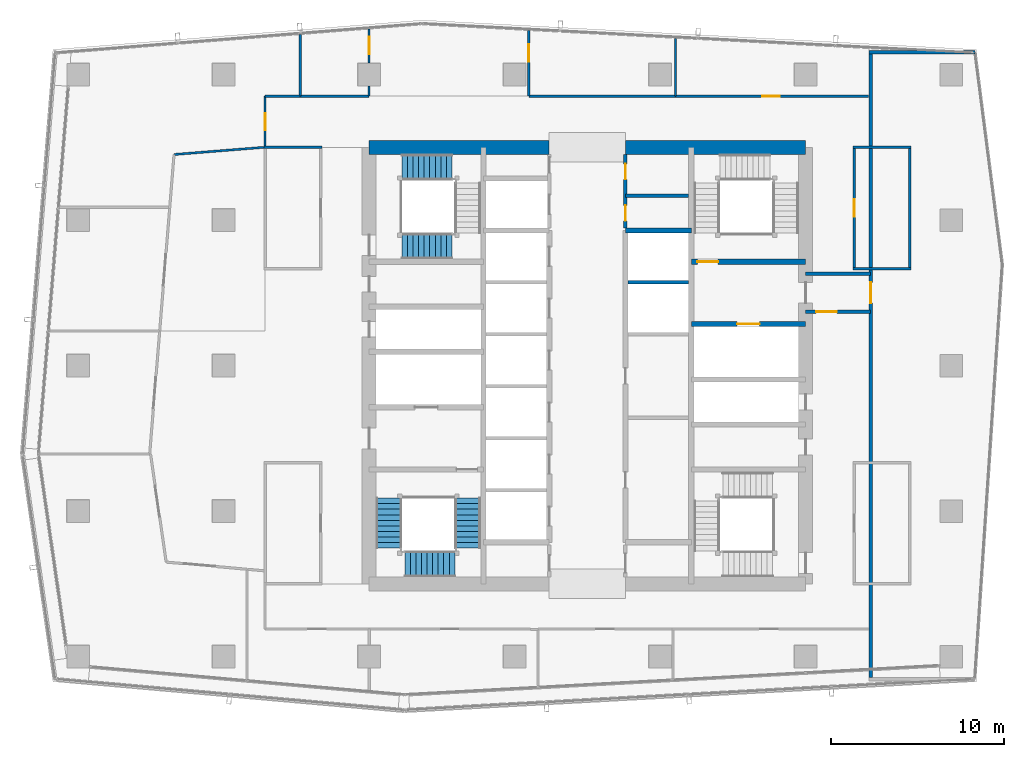
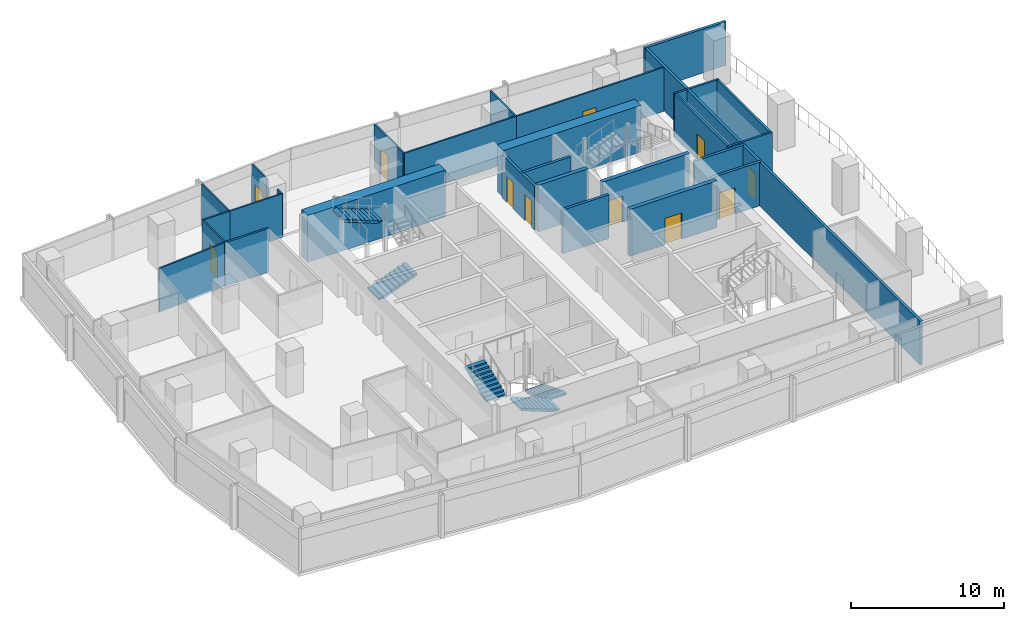
# One storey, part 21 of 26: 28 walls, 11 doors, 5 stair flights, 11 openings, 2 elements without a shape of their own.
"""IFC4 building model written with IfcOpenShell, lengths in metres."""

from ifc_helpers import new_model, si_unit, direction, frame, frame_2d, origin, place, context, subcontext, project, spatial, polyline, rectangle, outline, extrude, material, layer, layer_set, type_object, element, fill, aggregate, save


model = new_model("IFC4")

# Units and contexts
model_context = context("Model", 3, precision=1e-05, world=origin(), true_north=direction((0.0, 1.0)))
body_context = subcontext(model_context, "Body", "Model", "MODEL_VIEW")
ifc_project = project(units=[si_unit("LENGTHUNIT", "METRE"), si_unit("AREAUNIT", "SQUARE_METRE"), si_unit("VOLUMEUNIT", "CUBIC_METRE"), si_unit("PLANEANGLEUNIT", "RADIAN"), si_unit("MASSUNIT", "GRAM", prefix="KILO")], contexts=[model_context])

# Site, building, storey
site_placement = place(None, origin())
site = spatial("IfcSite", under=ifc_project, at=site_placement, CompositionType="ELEMENT")
building_placement = place(site_placement, origin())
building = spatial("IfcBuilding", under=site, at=building_placement, Name="Rekha Terrace Tower", CompositionType="ELEMENT")
storey_placement = place(building_placement, frame((0.0, 0.0, 283.85009765625)))
storey = spatial("IfcBuildingStorey", under=building, at=storey_placement, Name="L72", CompositionType="ELEMENT", Elevation=283.85009765625)

# Wall
ifc_material_1 = material(Name="Concrete M60", Category="concrete")
ifc_layer_1 = layer(ifc_material_1, 0.300048828125)
ifc_layer_set_1 = layer_set([ifc_layer_1], Name="Concrete M60")
wall_type_1 = type_object("IfcWallType", Name="CI5 300 core internal shear wall", PredefinedType="SHEAR", material=ifc_layer_set_1)
wall_1_placement = place(storey_placement, frame((40.0, 41.39990234375, 0.0), z_axis=(0.0, 0.0, 1.0), x_axis=(1.0, 0.0, 0.0)))
element("IfcWall", 1, at=wall_1_placement, inside=storey, type_object=wall_type_1, Name="Core wall Y414E L72", PredefinedType="SHEAR", context=body_context, shape_type="SweptSolid", body=[
    extrude(rectangle(XDim=3.800048828125, YDim=0.300048828125, at=frame_2d((1.89990234375, 0.0))), origin(), (0.0, 0.0, 1.0), 3.75),
])

# Wall, opening, door
wall_2_placement = place(storey_placement, frame((43.800048828125, 36.0, 0.0), z_axis=(0.0, 0.0, 1.0), x_axis=(1.0, 0.0, 0.0)))
wall_2 = element("IfcWall", 2, at=wall_2_placement, inside=storey, type_object=wall_type_1, Name="Core wall Y360E L72", PredefinedType="SHEAR", context=body_context, shape_type="SweptSolid", body=[
    extrude(rectangle(XDim=6.599853515625, YDim=0.300048828125, at=frame_2d((3.2998046875, 0.0))), origin(), (0.0, 0.0, 1.0), 3.75),
])
opening_1_placement = place(wall_2_placement, frame((2.64990234375, 0.0, 0.0)))
opening_1 = element("IfcOpeningElement", 3, at=opening_1_placement, cuts=wall_2, Name="Opening LD2", PredefinedType="OPENING", context=body_context, shape_type="SweptSolid", body=[
    extrude(rectangle(XDim=1.300048828125, YDim=2.10009765625, at=frame_2d((0.64990234375, 1.050048828125))), frame((0.0, 0.159912109375, 0.0), z_axis=(0.0, -1.0, 0.0), x_axis=(1.0, 0.0, 0.0)), (0.0, 0.0, 1.0), 0.320068359375),
])
ifc_material_2 = material(Name="Stainless steel sliding landing door", Category="steel")
door_type_1 = type_object("IfcDoorType", Name="LD2 1300x2100 fire lift landing door", OperationType="SLIDING_TO_LEFT", PredefinedType="USERDEFINED", material=ifc_material_2)
door_1_placement = place(opening_1_placement, origin())
door_1 = element("IfcDoor", 4, at=door_1_placement, inside=storey, type_object=door_type_1, Name="Lift FL2 landing door L72", ObjectType="LIFT LANDING DOOR", OperationType="SLIDING_TO_LEFT", OverallHeight=2.10009765625, OverallWidth=1.300048828125, PredefinedType="USERDEFINED", context=body_context, shape_type="SweptSolid", body=[
    extrude(rectangle(XDim=1.300048828125, YDim=2.10009765625, at=frame_2d((0.64990234375, 1.050048828125))), frame((0.0, 0.02490234375, 0.0), z_axis=(0.0, -1.0, 0.0), x_axis=(1.0, 0.0, 0.0)), (0.0, 0.0, 1.0), 0.050048828125),
])
fill(opening_1, door_1)

wall_3_placement = place(storey_placement, frame((43.800048828125, 39.60009765625, 0.0), z_axis=(0.0, 0.0, 1.0), x_axis=(1.0, 0.0, 0.0)))
wall_3 = element("IfcWall", 5, at=wall_3_placement, inside=storey, type_object=wall_type_1, Name="Core wall Y396E L72", PredefinedType="SHEAR", context=body_context, shape_type="SweptSolid", body=[
    extrude(rectangle(XDim=6.599853515625, YDim=0.300048828125, at=frame_2d((3.2998046875, 0.0))), origin(), (0.0, 0.0, 1.0), 3.75),
])
opening_2_placement = place(wall_3_placement, frame((0.35009765625, 0.0, 0.0)))
opening_2 = element("IfcOpeningElement", 6, at=opening_2_placement, cuts=wall_3, Name="Opening D1", PredefinedType="OPENING", context=body_context, shape_type="SweptSolid", body=[
    extrude(rectangle(XDim=1.199951171875, YDim=2.10009765625, at=frame_2d((0.60009765625, 1.050048828125))), frame((0.0, 0.159912109375, 0.0), z_axis=(0.0, -1.0, 0.0), x_axis=(1.0, 0.0, 0.0)), (0.0, 0.0, 1.0), 0.320068359375),
])
ifc_material_3 = material(Name="Steel fire door", Category="steel")
door_type_2 = type_object("IfcDoorType", Name="D1 1200x2100 stair fire door", OperationType="SINGLE_SWING_RIGHT", PredefinedType="DOOR", material=ifc_material_3)
door_2_placement = place(opening_2_placement, origin())
door_2 = element("IfcDoor", 7, at=door_2_placement, inside=storey, type_object=door_type_2, Name="Stair ST2 door L72", OperationType="SINGLE_SWING_RIGHT", OverallHeight=2.10009765625, OverallWidth=1.199951171875, PredefinedType="DOOR", context=body_context, shape_type="SweptSolid", body=[
    extrude(rectangle(XDim=1.199951171875, YDim=2.10009765625, at=frame_2d((0.60009765625, 1.050048828125))), frame((0.0, 0.02490234375, 0.0), z_axis=(0.0, -1.0, 0.0), x_axis=(1.0, 0.0, 0.0)), (0.0, 0.0, 1.0), 0.050048828125),
])
fill(opening_2, door_2)

# Walls
ifc_layer_2 = layer(ifc_material_1, 0.800048828125)
ifc_layer_set_2 = layer_set([ifc_layer_2], Name="Concrete M60")
wall_type_2 = type_object("IfcWallType", Name="SW5 800 core outer shear wall", PredefinedType="SHEAR", material=ifc_layer_set_2)
wall_4_placement = place(storey_placement, frame((25.199951171875, 46.199951171875, 0.0), z_axis=(0.0, 0.0, 1.0), x_axis=(1.0, 0.0, 0.0)))
element("IfcWall", 8, at=wall_4_placement, inside=storey, type_object=wall_type_2, Name="Core wall N1 L72", PredefinedType="SHEAR", context=body_context, shape_type="SweptSolid", body=[
    extrude(rectangle(XDim=10.400146484375, YDim=0.800048828125, at=frame_2d((5.2001953125, 0.0))), origin(), (0.0, 0.0, 1.0), 3.75),
])
wall_5_placement = place(storey_placement, frame((40.0, 46.199951171875, 0.0), z_axis=(0.0, 0.0, 1.0), x_axis=(1.0, 0.0, 0.0)))
element("IfcWall", 9, at=wall_5_placement, inside=storey, type_object=wall_type_2, Name="Core wall N2 L72", PredefinedType="SHEAR", context=body_context, shape_type="SweptSolid", body=[
    extrude(rectangle(XDim=10.39990234375, YDim=0.800048828125, at=frame_2d((5.199951171875, 0.0))), origin(), (0.0, 0.0, 1.0), 3.75),
])
ifc_material_4 = material(Name="Concrete block masonry, 1 hour", Category="masonry")
ifc_layer_3 = layer(ifc_material_4, 0.14990234375)
ifc_layer_set_3 = layer_set([ifc_layer_3], Name="Concrete block masonry, 1 hour")
wall_type_3 = type_object("IfcWallType", Name="WP2 150 tenancy partition", PredefinedType="PARTITIONING", material=ifc_layer_set_3)
for number, where, z_axis, x_axis, name in (
    (10, (53.125, 39.199951171875, 0.0), (0.0, 0.0, 1.0), (1.0, 0.0, 0.0), "Women's WC wall L72"),
    (11, (53.125, 46.199951171875, 0.0), (0.0, 0.0, 1.0), (1.0, 0.0, 0.0), "Women's WC wall L72"),
):
    element("IfcWall", number, at=place(storey_placement, frame(where, z_axis=z_axis, x_axis=x_axis)), inside=storey, type_object=wall_type_3, Name=name, PredefinedType="PARTITIONING", context=body_context, shape_type="SweptSolid", body=[
        extrude(rectangle(XDim=3.35009765625, YDim=0.14990234375, at=frame_2d((1.675048828125, 0.0))), origin(), (0.0, 0.0, 1.0), 3.5),
    ])

# Wall, opening, door
wall_6_placement = place(storey_placement, frame((53.199951171875, 39.27490234375, 0.0), z_axis=(0.0, 0.0, 1.0), x_axis=(0.0, 1.0, 0.0)))
wall_6 = element("IfcWall", 12, at=wall_6_placement, inside=storey, type_object=wall_type_3, Name="Women's WC wall L72", PredefinedType="PARTITIONING", context=body_context, shape_type="SweptSolid", body=[
    extrude(rectangle(XDim=6.85009765625, YDim=0.14990234375, at=frame_2d((3.425048828125, 0.0))), origin(), (0.0, 0.0, 1.0), 3.5),
])
opening_3_placement = place(wall_6_placement, frame((2.925048828125, 0.0, 0.0)))
opening_3 = element("IfcOpeningElement", 13, at=opening_3_placement, cuts=wall_6, Name="Opening D3", PredefinedType="OPENING", context=body_context, shape_type="SweptSolid", body=[
    extrude(rectangle(XDim=1.0, YDim=2.10009765625, at=frame_2d((0.5, 1.050048828125))), frame((0.0, 0.0849609375, 0.0), z_axis=(0.0, -1.0, 0.0), x_axis=(1.0, 0.0, 0.0)), (0.0, 0.0, 1.0), 0.169921875),
])
ifc_material_5 = material(Name="Laminated timber fire door", Category="wood")
door_type_3 = type_object("IfcDoorType", Name="D3 1000x2100 WC door", OperationType="SINGLE_SWING_LEFT", PredefinedType="DOOR", material=ifc_material_5)
door_3_placement = place(opening_3_placement, origin())
door_3 = element("IfcDoor", 14, at=door_3_placement, inside=storey, type_object=door_type_3, Name="Door women's wc L72", OperationType="SINGLE_SWING_LEFT", OverallHeight=2.10009765625, OverallWidth=1.0, PredefinedType="DOOR", context=body_context, shape_type="SweptSolid", body=[
    extrude(rectangle(XDim=1.0, YDim=2.10009765625, at=frame_2d((0.5, 1.050048828125))), frame((0.0, 0.02490234375, 0.0), z_axis=(0.0, -1.0, 0.0), x_axis=(1.0, 0.0, 0.0)), (0.0, 0.0, 1.0), 0.050048828125),
])
fill(opening_3, door_3)

# Walls
wall_7_placement = place(storey_placement, frame((56.39990234375, 39.27490234375, 0.0), z_axis=(0.0, 0.0, 1.0), x_axis=(0.0, 1.0, 0.0)))
element("IfcWall", 15, at=wall_7_placement, inside=storey, type_object=wall_type_3, Name="Women's WC wall L72", PredefinedType="PARTITIONING", context=body_context, shape_type="SweptSolid", body=[
    extrude(rectangle(XDim=6.85009765625, YDim=0.14990234375, at=frame_2d((3.425048828125, 0.0))), origin(), (0.0, 0.0, 1.0), 3.5),
])
wall_8_placement = place(storey_placement, frame((19.125, 46.199951171875, 0.0), z_axis=(0.0, 0.0, 1.0), x_axis=(1.0, 0.0, 0.0)))
element("IfcWall", 16, at=wall_8_placement, inside=storey, type_object=wall_type_3, Name="Women's WC wall L72", PredefinedType="PARTITIONING", context=body_context, shape_type="SweptSolid", body=[
    extrude(rectangle(XDim=3.35009765625, YDim=0.14990234375, at=frame_2d((1.675048828125, 0.0))), origin(), (0.0, 0.0, 1.0), 3.5),
])

# Wall, opening, door
ifc_material_6 = material(Name="Two layers of fire-rated gypsum board each side on steel studs, acoustic quilt, 1 hour", Category="steel")
ifc_layer_4 = layer(ifc_material_6, 0.125)
ifc_layer_set_4 = layer_set([ifc_layer_4], Name="Two layers of fire-rated gypsum board each side on steel studs, acoustic quilt, 1 hour")
wall_type_4 = type_object("IfcWallType", Name="WP3 125 office partition", PredefinedType="PARTITIONING", material=ifc_layer_set_4)
wall_9_placement = place(storey_placement, frame((54.0390625, 49.14990234375, 0.0), z_axis=(0.0, 0.0, 1.0), x_axis=(-1.0, 0.0, 0.0)))
wall_9 = element("IfcWall", 17, at=wall_9_placement, inside=storey, type_object=wall_type_4, Name="Partition L72-03", PredefinedType="PARTITIONING", context=body_context, shape_type="SweptSolid", body=[
    extrude(rectangle(XDim=11.149169921875, YDim=0.125, at=frame_2d((5.57470703125, 0.0))), origin(), (0.0, 0.0, 1.0), 3.5),
])
opening_4_placement = place(wall_9_placement, frame((5.14501953125, 0.0, 0.0)))
opening_4 = element("IfcOpeningElement", 18, at=opening_4_placement, cuts=wall_9, Name="Opening D9", PredefinedType="OPENING", context=body_context, shape_type="SweptSolid", body=[
    extrude(rectangle(XDim=1.0, YDim=2.10009765625, at=frame_2d((0.5, 1.050048828125))), frame((0.0, 0.072509765625, 0.0), z_axis=(0.0, -1.0, 0.0), x_axis=(1.0, 0.0, 0.0)), (0.0, 0.0, 1.0), 0.14501953125),
])
ifc_material_7 = material(Name="Timber fire door", Category="wood")
door_type_4 = type_object("IfcDoorType", Name="D9 1000x2100 office door", OperationType="SINGLE_SWING_LEFT", PredefinedType="DOOR", material=ifc_material_7)
door_4_placement = place(opening_4_placement, origin())
door_4 = element("IfcDoor", 19, at=door_4_placement, inside=storey, type_object=door_type_4, Name="Door board meeting room L72", OperationType="SINGLE_SWING_LEFT", OverallHeight=2.10009765625, OverallWidth=1.0, PredefinedType="DOOR", context=body_context, shape_type="SweptSolid", body=[
    extrude(rectangle(XDim=1.0, YDim=2.10009765625, at=frame_2d((0.5, 1.050048828125))), frame((0.0, 0.02490234375, 0.0), z_axis=(0.0, -1.0, 0.0), x_axis=(1.0, 0.0, 0.0)), (0.0, 0.0, 1.0), 0.050048828125),
])
fill(opening_4, door_4)

# Walls
wall_10_placement = place(storey_placement, frame((42.889892578125, 49.14990234375, 0.0), z_axis=(0.0, 0.0, 1.0), x_axis=(0.0, 1.0, 0.0)))
element("IfcWall", 20, at=wall_10_placement, inside=storey, type_object=wall_type_4, Name="Partition L72-03", PredefinedType="PARTITIONING", context=body_context, shape_type="SweptSolid", body=[
    extrude(rectangle(XDim=3.343017578125, YDim=0.125, at=frame_2d((1.67138671875, 0.0))), origin(), (0.0, 0.0, 1.0), 3.5),
])
wall_11_placement = place(storey_placement, frame((42.888916015625, 49.14990234375, 0.0), z_axis=(0.0, 0.0, 1.0), x_axis=(-1.0, 0.0, 0.0)))
element("IfcWall", 21, at=wall_11_placement, inside=storey, type_object=wall_type_4, Name="Partition L72-04", PredefinedType="PARTITIONING", context=body_context, shape_type="SweptSolid", body=[
    extrude(rectangle(XDim=8.470947265625, YDim=0.125, at=frame_2d((4.2353515625, 0.0))), origin(), (0.0, 0.0, 1.0), 3.5),
])

# Wall, opening, door
wall_12_placement = place(storey_placement, frame((34.41796875, 49.14990234375, 0.0), z_axis=(0.0, 0.0, 1.0), x_axis=(0.0, 1.0, 0.0)))
wall_12 = element("IfcWall", 22, at=wall_12_placement, inside=storey, type_object=wall_type_4, Name="Partition L72-04", PredefinedType="PARTITIONING", context=body_context, shape_type="SweptSolid", body=[
    extrude(rectangle(XDim=3.793212890625, YDim=0.125, at=frame_2d((1.896484375, 0.0))), origin(), (0.0, 0.0, 1.0), 3.5),
])
opening_5_placement = place(wall_12_placement, frame((1.9970703125, 0.0, 0.0)))
opening_5 = element("IfcOpeningElement", 23, at=opening_5_placement, cuts=wall_12, Name="Opening D9", PredefinedType="OPENING", context=body_context, shape_type="SweptSolid", body=[
    extrude(rectangle(XDim=1.0, YDim=2.10009765625, at=frame_2d((0.5, 1.050048828125))), frame((0.0, 0.072509765625, 0.0), z_axis=(0.0, -1.0, 0.0), x_axis=(1.0, 0.0, 0.0)), (0.0, 0.0, 1.0), 0.14501953125),
])
door_5_placement = place(opening_5_placement, origin())
door_5 = element("IfcDoor", 24, at=door_5_placement, inside=storey, type_object=door_type_4, Name="Door director's office L72", OperationType="SINGLE_SWING_LEFT", OverallHeight=2.10009765625, OverallWidth=1.0, PredefinedType="DOOR", context=body_context, shape_type="SweptSolid", body=[
    extrude(rectangle(XDim=1.0, YDim=2.10009765625, at=frame_2d((0.5, 1.050048828125))), frame((0.0, 0.02490234375, 0.0), z_axis=(0.0, -1.0, 0.0), x_axis=(1.0, 0.0, 0.0)), (0.0, 0.0, 1.0), 0.050048828125),
])
fill(opening_5, door_5)

wall_13_placement = place(storey_placement, frame((25.205078125, 53.02490234375, 0.0), z_axis=(0.0, 0.0, 1.0), x_axis=(0.0, -1.0, 0.0)))
wall_13 = element("IfcWall", 25, at=wall_13_placement, inside=storey, type_object=wall_type_4, Name="Partition L72-05", PredefinedType="PARTITIONING", context=body_context, shape_type="SweptSolid", body=[
    extrude(rectangle(XDim=1.954833984375, YDim=0.125, at=frame_2d((0.9775390625, 0.0))), origin(), (0.0, 0.0, 1.0), 3.5),
])
opening_6_placement = place(wall_13_placement, frame((0.443115234375, 0.0, 0.0)))
opening_6 = element("IfcOpeningElement", 26, at=opening_6_placement, cuts=wall_13, Name="Opening D9", PredefinedType="OPENING", context=body_context, shape_type="SweptSolid", body=[
    extrude(rectangle(XDim=1.0, YDim=2.10009765625, at=frame_2d((0.5, 1.050048828125))), frame((0.0, 0.072509765625, 0.0), z_axis=(0.0, -1.0, 0.0), x_axis=(1.0, 0.0, 0.0)), (0.0, 0.0, 1.0), 0.14501953125),
])
door_6_placement = place(opening_6_placement, origin())
door_6 = element("IfcDoor", 27, at=door_6_placement, inside=storey, type_object=door_type_4, Name="Door director's office L72", OperationType="SINGLE_SWING_LEFT", OverallHeight=2.10009765625, OverallWidth=1.0, PredefinedType="DOOR", context=body_context, shape_type="SweptSolid", body=[
    extrude(rectangle(XDim=1.0, YDim=2.10009765625, at=frame_2d((0.5, 1.050048828125))), frame((0.0, 0.02490234375, 0.0), z_axis=(0.0, -1.0, 0.0), x_axis=(1.0, 0.0, 0.0)), (0.0, 0.0, 1.0), 0.050048828125),
])
fill(opening_6, door_6)

# Walls
wall_14_placement = place(storey_placement, frame((25.205078125, 49.72998046875, 0.0), z_axis=(0.0, 0.0, 1.0), x_axis=(0.0, -1.0, 0.0)))
element("IfcWall", 28, at=wall_14_placement, inside=storey, type_object=wall_type_4, Name="Partition L72-05", PredefinedType="PARTITIONING", context=body_context, shape_type="SweptSolid", body=[
    extrude(rectangle(XDim=0.580078125, YDim=0.125, at=frame_2d((0.2900390625, 0.0))), origin(), (0.0, 0.0, 1.0), 3.5),
])
wall_15_placement = place(storey_placement, frame((25.205078125, 49.14990234375, 0.0), z_axis=(0.0, 0.0, 1.0), x_axis=(-1.0, 0.0, 0.0)))
element("IfcWall", 29, at=wall_15_placement, inside=storey, type_object=wall_type_4, Name="Partition L72-05", PredefinedType="PARTITIONING", context=body_context, shape_type="SweptSolid", body=[
    extrude(rectangle(XDim=3.97802734375, YDim=0.125, at=frame_2d((1.989013671875, 0.0))), origin(), (0.0, 0.0, 1.0), 3.5),
])
wall_16_placement = place(storey_placement, frame((21.22705078125, 49.14990234375, 0.0), z_axis=(0.0, 0.0, 1.0), x_axis=(0.0, 1.0, 0.0)))
element("IfcWall", 30, at=wall_16_placement, inside=storey, type_object=wall_type_4, Name="Partition L72-05", PredefinedType="PARTITIONING", context=body_context, shape_type="SweptSolid", body=[
    extrude(rectangle(XDim=3.55810546875, YDim=0.125, at=frame_2d((1.779052734375, 0.0))), origin(), (0.0, 0.0, 1.0), 3.5),
])
wall_17_placement = place(storey_placement, frame((19.125, 46.199951171875, 0.0), z_axis=(0.0, 0.0, 1.0), x_axis=(-0.996825420684, -0.079618343858, 0.0)))
element("IfcWall", 31, at=wall_17_placement, inside=storey, type_object=wall_type_4, Name="Partition L72-06", PredefinedType="PARTITIONING", context=body_context, shape_type="SweptSolid", body=[
    extrude(rectangle(XDim=5.20068359375, YDim=0.125, at=frame_2d((2.600341796875, 0.0))), origin(), (0.0, 0.0, 1.0), 3.5),
])
wall_18_placement = place(storey_placement, frame((21.22607421875, 49.14990234375, 0.0), z_axis=(0.0, 0.0, 1.0), x_axis=(-1.0, 0.0, 0.0)))
element("IfcWall", 32, at=wall_18_placement, inside=storey, type_object=wall_type_4, Name="Partition L72-06", PredefinedType="PARTITIONING", context=body_context, shape_type="SweptSolid", body=[
    extrude(rectangle(XDim=2.026123046875, YDim=0.125, at=frame_2d((1.01318359375, 0.0))), origin(), (0.0, 0.0, 1.0), 3.5),
])

# Wall, opening, door
wall_19_placement = place(storey_placement, frame((19.199951171875, 49.14990234375, 0.0), z_axis=(0.0, 0.0, 1.0), x_axis=(0.0, -1.0, 0.0)))
wall_19 = element("IfcWall", 33, at=wall_19_placement, inside=storey, type_object=wall_type_4, Name="Partition L72-06", PredefinedType="PARTITIONING", context=body_context, shape_type="SweptSolid", body=[
    extrude(rectangle(XDim=2.875, YDim=0.125, at=frame_2d((1.4375, 0.0))), origin(), (0.0, 0.0, 1.0), 3.5),
])
opening_7_placement = place(wall_19_placement, frame((0.971923828125, 0.0, 0.0)))
opening_7 = element("IfcOpeningElement", 34, at=opening_7_placement, cuts=wall_19, Name="Opening D9", PredefinedType="OPENING", context=body_context, shape_type="SweptSolid", body=[
    extrude(rectangle(XDim=1.0, YDim=2.10009765625, at=frame_2d((0.5, 1.050048828125))), frame((0.0, 0.072509765625, 0.0), z_axis=(0.0, -1.0, 0.0), x_axis=(1.0, 0.0, 0.0)), (0.0, 0.0, 1.0), 0.14501953125),
])
door_7_placement = place(opening_7_placement, origin())
door_7 = element("IfcDoor", 35, at=door_7_placement, inside=storey, type_object=door_type_4, Name="Door chairman's office L72", OperationType="SINGLE_SWING_LEFT", OverallHeight=2.10009765625, OverallWidth=1.0, PredefinedType="DOOR", context=body_context, shape_type="SweptSolid", body=[
    extrude(rectangle(XDim=1.0, YDim=2.10009765625, at=frame_2d((0.5, 1.050048828125))), frame((0.0, 0.02490234375, 0.0), z_axis=(0.0, -1.0, 0.0), x_axis=(1.0, 0.0, 0.0)), (0.0, 0.0, 1.0), 0.050048828125),
])
fill(opening_7, door_7)

# Wall
ifc_material_8 = material(Name="Solid concrete block masonry, 2 hour", Category="masonry")
ifc_layer_5 = layer(ifc_material_8, 0.199951171875)
ifc_layer_set_5 = layer_set([ifc_layer_5], Name="Solid concrete block masonry, 2 hour")
wall_type_5 = type_object("IfcWallType", Name="WS1 200 stair and shaft enclosure", PredefinedType="PARTITIONING", material=ifc_layer_set_5)
wall_20_placement = place(storey_placement, frame((40.14990234375, 38.39990234375, 0.0), z_axis=(0.0, 0.0, 1.0), x_axis=(1.0, 0.0, 0.0)))
element("IfcWall", 36, at=wall_20_placement, inside=storey, type_object=wall_type_5, Name="Lift shaft divider L72", PredefinedType="PARTITIONING", context=body_context, shape_type="SweptSolid", body=[
    extrude(rectangle(XDim=3.5, YDim=0.199951171875, at=frame_2d((1.75, 0.0))), origin(), (0.0, 0.0, 1.0), 3.5),
])

# Wall, openings, doors
wall_21_placement = place(storey_placement, frame((40.0, 41.550048828125, 0.0), z_axis=(0.0, 0.0, 1.0), x_axis=(0.0, 1.0, 0.0)))
wall_21 = element("IfcWall", 37, at=wall_21_placement, inside=storey, type_object=wall_type_5, Name="Core partition elec L72", PredefinedType="PARTITIONING", context=body_context, shape_type="SweptSolid", body=[
    extrude(rectangle(XDim=4.25, YDim=0.199951171875, at=frame_2d((2.125, 0.0))), origin(), (0.0, 0.0, 1.0), 3.5),
])
opening_8_placement = place(wall_21_placement, frame((2.800048828125, 0.0, 0.0)))
opening_8 = element("IfcOpeningElement", 38, at=opening_8_placement, cuts=wall_21, Name="Opening D5", PredefinedType="OPENING", context=body_context, shape_type="SweptSolid", body=[
    extrude(rectangle(XDim=0.89990234375, YDim=2.10009765625, at=frame_2d((0.449951171875, 1.050048828125))), frame((0.0, 0.10986328125, 0.0), z_axis=(0.0, -1.0, 0.0), x_axis=(1.0, 0.0, 0.0)), (0.0, 0.0, 1.0), 0.219970703125),
])
opening_9_placement = place(wall_21_placement, frame((0.39990234375, 0.0, 0.0)))
opening_9 = element("IfcOpeningElement", 39, at=opening_9_placement, cuts=wall_21, Name="Opening D5", PredefinedType="OPENING", context=body_context, shape_type="SweptSolid", body=[
    extrude(rectangle(XDim=0.89990234375, YDim=2.10009765625, at=frame_2d((0.449951171875, 1.050048828125))), frame((0.0, 0.10986328125, 0.0), z_axis=(0.0, -1.0, 0.0), x_axis=(1.0, 0.0, 0.0)), (0.0, 0.0, 1.0), 0.219970703125),
])
door_type_5 = type_object("IfcDoorType", Name="D5 900x2100 riser access door", OperationType="SINGLE_SWING_LEFT", PredefinedType="DOOR", material=ifc_material_3)
door_8_placement = place(opening_8_placement, origin())
door_8 = element("IfcDoor", 40, at=door_8_placement, inside=storey, type_object=door_type_5, Name="Door electrical room L72", OperationType="SINGLE_SWING_LEFT", OverallHeight=2.10009765625, OverallWidth=0.89990234375, PredefinedType="DOOR", context=body_context, shape_type="SweptSolid", body=[
    extrude(rectangle(XDim=0.89990234375, YDim=2.10009765625, at=frame_2d((0.449951171875, 1.050048828125))), frame((0.0, 0.02490234375, 0.0), z_axis=(0.0, -1.0, 0.0), x_axis=(1.0, 0.0, 0.0)), (0.0, 0.0, 1.0), 0.050048828125),
])
fill(opening_8, door_8)
door_9_placement = place(opening_9_placement, origin())
door_9 = element("IfcDoor", 41, at=door_9_placement, inside=storey, type_object=door_type_5, Name="Door records store L72", OperationType="SINGLE_SWING_LEFT", OverallHeight=2.10009765625, OverallWidth=0.89990234375, PredefinedType="DOOR", context=body_context, shape_type="SweptSolid", body=[
    extrude(rectangle(XDim=0.89990234375, YDim=2.10009765625, at=frame_2d((0.449951171875, 1.050048828125))), frame((0.0, 0.02490234375, 0.0), z_axis=(0.0, -1.0, 0.0), x_axis=(1.0, 0.0, 0.0)), (0.0, 0.0, 1.0), 0.050048828125),
])
fill(opening_9, door_9)

# Wall
wall_22_placement = place(storey_placement, frame((40.0, 43.39990234375, 0.0), z_axis=(0.0, 0.0, 1.0), x_axis=(1.0, 0.0, 0.0)))
element("IfcWall", 42, at=wall_22_placement, inside=storey, type_object=wall_type_5, Name="Core partition elx L72", PredefinedType="PARTITIONING", context=body_context, shape_type="SweptSolid", body=[
    extrude(rectangle(XDim=3.64990234375, YDim=0.199951171875, at=frame_2d((1.824951171875, 0.0))), origin(), (0.0, 0.0, 1.0), 3.5),
])

# Wall, opening, door
wall_23_placement = place(storey_placement, frame((54.14990234375, 15.60205078125, 0.0), z_axis=(0.0, 0.0, 1.0), x_axis=(0.0, 1.0, 0.0)))
wall_23 = element("IfcWall", 43, at=wall_23_placement, inside=storey, type_object=wall_type_5, Name="Refuge area inner wall L72", PredefinedType="PARTITIONING", context=body_context, shape_type="SweptSolid", body=[
    extrude(rectangle(XDim=35.994873046875, YDim=0.199951171875, at=frame_2d((17.99755859375, 0.0))), origin(), (0.0, 0.0, 1.0), 3.5),
])
opening_10_placement = place(wall_23_placement, frame((21.597900390625, 0.0, 0.0)))
opening_10 = element("IfcOpeningElement", 44, at=opening_10_placement, cuts=wall_23, Name="Opening D2", PredefinedType="OPENING", context=body_context, shape_type="SweptSolid", body=[
    extrude(rectangle(XDim=1.199951171875, YDim=2.10009765625, at=frame_2d((0.60009765625, 1.050048828125))), frame((0.0, 0.10986328125, 0.0), z_axis=(0.0, -1.0, 0.0), x_axis=(1.0, 0.0, 0.0)), (0.0, 0.0, 1.0), 0.219970703125),
])
door_type_6 = type_object("IfcDoorType", Name="D2 1200x2100 firefighting lobby door", OperationType="SINGLE_SWING_LEFT", PredefinedType="DOOR", material=ifc_material_3)
door_10_placement = place(opening_10_placement, origin())
door_10 = element("IfcDoor", 45, at=door_10_placement, inside=storey, type_object=door_type_6, Name="Refuge area door L72", OperationType="SINGLE_SWING_LEFT", OverallHeight=2.10009765625, OverallWidth=1.199951171875, PredefinedType="DOOR", context=body_context, shape_type="SweptSolid", body=[
    extrude(rectangle(XDim=1.199951171875, YDim=2.10009765625, at=frame_2d((0.60009765625, 1.050048828125))), frame((0.0, 0.02490234375, 0.0), z_axis=(0.0, -1.0, 0.0), x_axis=(1.0, 0.0, 0.0)), (0.0, 0.0, 1.0), 0.050048828125),
])
fill(opening_10, door_10)

# Walls
wall_24_placement = place(storey_placement, frame((54.050048828125, 51.697021484375, 0.0), z_axis=(0.0, 0.0, 1.0), x_axis=(1.0, 0.0, 0.0)))
element("IfcWall", 46, at=wall_24_placement, inside=storey, type_object=wall_type_5, Name="Refuge area north wall L72", PredefinedType="PARTITIONING", context=body_context, shape_type="SweptSolid", body=[
    extrude(rectangle(XDim=6.119873046875, YDim=0.199951171875, at=frame_2d((3.06005859375, 0.0))), origin(), (0.0, 0.0, 1.0), 3.5),
])
wall_25_placement = place(storey_placement, frame((50.39990234375, 38.89990234375, 0.0), z_axis=(0.0, 0.0, 1.0), x_axis=(1.0, 0.0, 0.0)))
element("IfcWall", 47, at=wall_25_placement, inside=storey, type_object=wall_type_5, Name="Refuge corridor north wall L72", PredefinedType="PARTITIONING", context=body_context, shape_type="SweptSolid", body=[
    extrude(rectangle(XDim=3.75, YDim=0.199951171875, at=frame_2d((1.875, 0.0))), origin(), (0.0, 0.0, 1.0), 3.5),
])

# Wall, opening, door
wall_26_placement = place(storey_placement, frame((50.39990234375, 36.699951171875, 0.0), z_axis=(0.0, 0.0, 1.0), x_axis=(1.0, 0.0, 0.0)))
wall_26 = element("IfcWall", 48, at=wall_26_placement, inside=storey, type_object=wall_type_5, Name="Refuge corridor south wall L72", PredefinedType="PARTITIONING", context=body_context, shape_type="SweptSolid", body=[
    extrude(rectangle(XDim=3.75, YDim=0.199951171875, at=frame_2d((1.875, 0.0))), origin(), (0.0, 0.0, 1.0), 3.5),
])
opening_11_placement = place(wall_26_placement, frame((0.60009765625, 0.0, 0.0)))
opening_11 = element("IfcOpeningElement", 49, at=opening_11_placement, cuts=wall_26, Name="Opening D2", PredefinedType="OPENING", context=body_context, shape_type="SweptSolid", body=[
    extrude(rectangle(XDim=1.199951171875, YDim=2.10009765625, at=frame_2d((0.60009765625, 1.050048828125))), frame((0.0, 0.10986328125, 0.0), z_axis=(0.0, -1.0, 0.0), x_axis=(1.0, 0.0, 0.0)), (0.0, 0.0, 1.0), 0.219970703125),
])
door_11_placement = place(opening_11_placement, origin())
door_11 = element("IfcDoor", 50, at=door_11_placement, inside=storey, type_object=door_type_6, Name="Refuge corridor door L72", OperationType="SINGLE_SWING_LEFT", OverallHeight=2.10009765625, OverallWidth=1.199951171875, PredefinedType="DOOR", context=body_context, shape_type="SweptSolid", body=[
    extrude(rectangle(XDim=1.199951171875, YDim=2.10009765625, at=frame_2d((0.60009765625, 1.050048828125))), frame((0.0, 0.02490234375, 0.0), z_axis=(0.0, -1.0, 0.0), x_axis=(1.0, 0.0, 0.0)), (0.0, 0.0, 1.0), 0.050048828125),
])
fill(opening_11, door_11)

# Stair, stair flights
ifc_material_9 = material(Name="Concrete M40", Category="concrete")
stair_type = type_object("IfcStairType", Name="ST30 stair, 30 risers of 125, going 320, 1500 wide flights, 3 flights", PredefinedType="HALF_TURN_STAIR", material=ifc_material_9)
stair_1_placement = place(storey_placement, origin())
stair_1 = element("IfcStair", 51, at=stair_1_placement, inside=storey, type_object=stair_type, Name="Stair ST1 L72 to L73", PredefinedType="HALF_TURN_STAIR")
stair_flight_type = type_object("IfcStairFlightType", Name="SF10 stair flight, 10 risers of 125, going 320, 1500 wide", PredefinedType="STRAIGHT", material=ifc_material_9)
stair_flight_1_placement = place(storey_placement, frame((30.89990234375, 25.949951171875, 0.0), z_axis=(0.0, 0.0, 1.0), x_axis=(0.0, -1.0, 0.0)))
stair_flight_1 = element("IfcStairFlight", 52, at=stair_flight_1_placement, type_object=stair_flight_type, Name="ST1 flight 1", NumberOfRisers=10, NumberOfTreads=9, PredefinedType="STRAIGHT", RiserHeight=0.125, TreadLength=0.32, context=body_context, shape_type="SweptSolid", body=[
    extrude(outline(polyline([(0.0, 0.0), (0.0, 0.125), (0.320068359375, 0.125), (0.320068359375, 0.25), (0.639892578125, 0.25), (0.639892578125, 0.375), (0.9599609375, 0.375), (0.9599609375, 0.5), (1.280029296875, 0.5), (1.280029296875, 0.625), (1.60009765625, 0.625), (1.60009765625, 0.75), (1.919921875, 0.75), (1.919921875, 0.875), (2.239990234375, 0.875), (2.239990234375, 1.0), (2.56005859375, 1.0), (2.56005859375, 1.125), (2.8798828125, 1.125), (2.8798828125, 1.25), (2.8798828125, 0.964111328125), (0.412109375, 0.0), (0.0, 0.0)])), frame((0.0, 0.75, 0.0), z_axis=(0.0, -1.0, 0.0), x_axis=(1.0, 0.0, 0.0)), (0.0, 0.0, 1.0), 1.5),
])
stair_flight_2_placement = place(storey_placement, frame((30.14990234375, 22.14990234375, 1.25), z_axis=(0.0, 0.0, 1.0), x_axis=(-1.0, 0.0, 0.0)))
stair_flight_2 = element("IfcStairFlight", 53, at=stair_flight_2_placement, type_object=stair_flight_type, Name="ST1 flight 2", NumberOfRisers=10, NumberOfTreads=9, PredefinedType="STRAIGHT", RiserHeight=0.125, TreadLength=0.32, context=body_context, shape_type="SweptSolid", body=[
    extrude(outline(polyline([(0.0, 0.0), (0.0, 0.125), (0.320068359375, 0.125), (0.320068359375, 0.25), (0.639892578125, 0.25), (0.639892578125, 0.375), (0.9599609375, 0.375), (0.9599609375, 0.5), (1.280029296875, 0.5), (1.280029296875, 0.625), (1.60009765625, 0.625), (1.60009765625, 0.75), (1.919921875, 0.75), (1.919921875, 0.875), (2.239990234375, 0.875), (2.239990234375, 1.0), (2.56005859375, 1.0), (2.56005859375, 1.125), (2.8798828125, 1.125), (2.8798828125, 1.25), (2.8798828125, 0.964111328125), (0.412109375, 0.0), (0.0, 0.0)])), frame((0.0, 0.75, 0.0), z_axis=(0.0, -1.0, 0.0), x_axis=(1.0, 0.0, 0.0)), (0.0, 0.0, 1.0), 1.5),
])
stair_flight_3_placement = place(storey_placement, frame((26.35009765625, 23.070068359375, 2.5), z_axis=(0.0, 0.0, 1.0), x_axis=(0.0, 1.0, 0.0)))
stair_flight_3 = element("IfcStairFlight", 54, at=stair_flight_3_placement, type_object=stair_flight_type, Name="ST1 flight 3", NumberOfRisers=10, NumberOfTreads=9, PredefinedType="STRAIGHT", RiserHeight=0.125, TreadLength=0.32, context=body_context, shape_type="SweptSolid", body=[
    extrude(outline(polyline([(0.0, 0.0), (0.0, 0.125), (0.320068359375, 0.125), (0.320068359375, 0.25), (0.639892578125, 0.25), (0.639892578125, 0.375), (0.9599609375, 0.375), (0.9599609375, 0.5), (1.280029296875, 0.5), (1.280029296875, 0.625), (1.60009765625, 0.625), (1.60009765625, 0.75), (1.919921875, 0.75), (1.919921875, 0.875), (2.239990234375, 0.875), (2.239990234375, 1.0), (2.56005859375, 1.0), (2.56005859375, 1.125), (2.8798828125, 1.125), (2.8798828125, 1.25), (2.8798828125, 0.964111328125), (0.412109375, 0.0), (0.0, 0.0)])), frame((0.0, 0.75, 0.0), z_axis=(0.0, -1.0, 0.0), x_axis=(1.0, 0.0, 0.0)), (0.0, 0.0, 1.0), 1.5),
])
aggregate(stair_1, [stair_flight_1, stair_flight_2, stair_flight_3])

stair_2_placement = place(storey_placement, origin())
stair_2 = element("IfcStair", 55, at=stair_2_placement, inside=storey, type_object=stair_type, Name="Stair ST4 L72 to L73", PredefinedType="HALF_TURN_STAIR")
stair_flight_4_placement = place(storey_placement, frame((27.10009765625, 40.5, 0.0), z_axis=(0.0, 0.0, 1.0), x_axis=(1.0, 0.0, 0.0)))
stair_flight_4 = element("IfcStairFlight", 56, at=stair_flight_4_placement, type_object=stair_flight_type, Name="ST4 flight 1", NumberOfRisers=10, NumberOfTreads=9, PredefinedType="STRAIGHT", RiserHeight=0.125, TreadLength=0.32, context=body_context, shape_type="SweptSolid", body=[
    extrude(outline(polyline([(0.0, 0.0), (0.0, 0.125), (0.320068359375, 0.125), (0.320068359375, 0.25), (0.639892578125, 0.25), (0.639892578125, 0.375), (0.9599609375, 0.375), (0.9599609375, 0.5), (1.280029296875, 0.5), (1.280029296875, 0.625), (1.60009765625, 0.625), (1.60009765625, 0.75), (1.919921875, 0.75), (1.919921875, 0.875), (2.239990234375, 0.875), (2.239990234375, 1.0), (2.56005859375, 1.0), (2.56005859375, 1.125), (2.8798828125, 1.125), (2.8798828125, 1.25), (2.8798828125, 0.964111328125), (0.412109375, 0.0), (0.0, 0.0)])), frame((0.0, 0.75, 0.0), z_axis=(0.0, -1.0, 0.0), x_axis=(1.0, 0.0, 0.0)), (0.0, 0.0, 1.0), 1.5),
])
stair_flight_5_placement = place(storey_placement, frame((29.97998046875, 45.050048828125, 2.5), z_axis=(0.0, 0.0, 1.0), x_axis=(-1.0, 0.0, 0.0)))
stair_flight_5 = element("IfcStairFlight", 57, at=stair_flight_5_placement, type_object=stair_flight_type, Name="ST4 flight 3", NumberOfRisers=10, NumberOfTreads=9, PredefinedType="STRAIGHT", RiserHeight=0.125, TreadLength=0.32, context=body_context, shape_type="SweptSolid", body=[
    extrude(outline(polyline([(0.0, 0.0), (0.0, 0.125), (0.320068359375, 0.125), (0.320068359375, 0.25), (0.639892578125, 0.25), (0.639892578125, 0.375), (0.9599609375, 0.375), (0.9599609375, 0.5), (1.280029296875, 0.5), (1.280029296875, 0.625), (1.60009765625, 0.625), (1.60009765625, 0.75), (1.919921875, 0.75), (1.919921875, 0.875), (2.239990234375, 0.875), (2.239990234375, 1.0), (2.56005859375, 1.0), (2.56005859375, 1.125), (2.8798828125, 1.125), (2.8798828125, 1.25), (2.8798828125, 0.964111328125), (0.412109375, 0.0), (0.0, 0.0)])), frame((0.0, 0.75, 0.0), z_axis=(0.0, -1.0, 0.0), x_axis=(1.0, 0.0, 0.0)), (0.0, 0.0, 1.0), 1.5),
])
aggregate(stair_2, [stair_flight_4, stair_flight_5])

save(model, "model.ifc")
